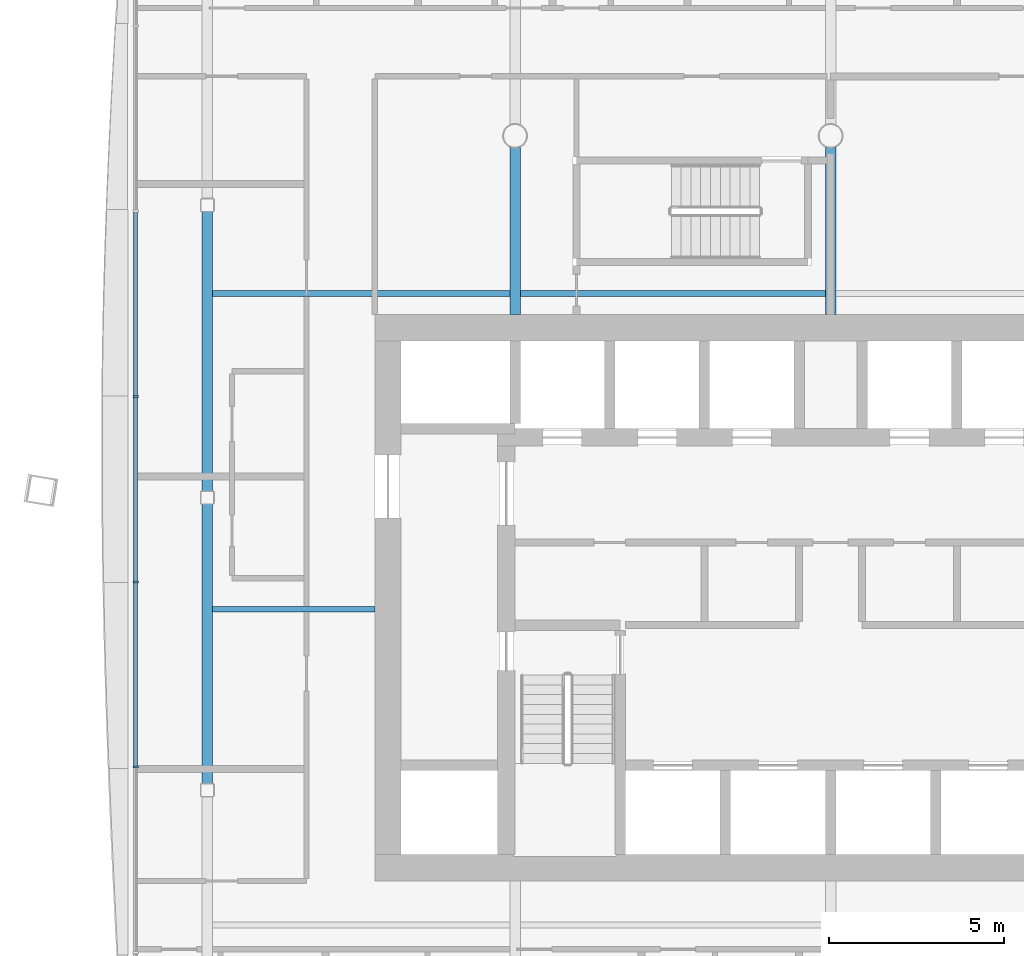
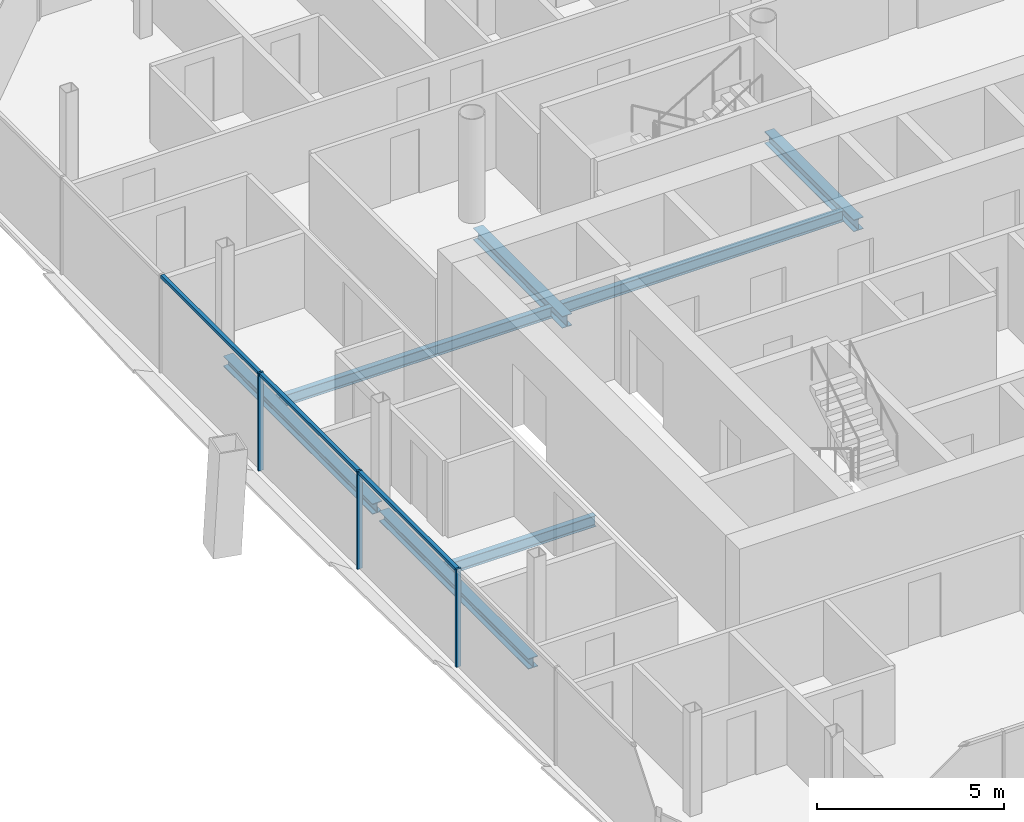
# One storey, part 5 of 21: 7 beams, 6 members, 1 element without a shape of its own.
"""IFC4 building model written with IfcOpenShell, lengths in metres."""

from ifc_helpers import new_model, si_unit, direction, frame, origin, origin_2d, place, context, subcontext, project, spatial, rectangle, i_section, extrude, material, material_profile, profile_set, type_object, element, aggregate, save


model = new_model("IFC4")

# Units and contexts
model_context = context("Model", 3, precision=1e-05, world=origin(), true_north=direction((0.0, 1.0)))
body_context = subcontext(model_context, "Body", "Model", "MODEL_VIEW")
ifc_project = project(units=[si_unit("LENGTHUNIT", "METRE"), si_unit("AREAUNIT", "SQUARE_METRE"), si_unit("VOLUMEUNIT", "CUBIC_METRE"), si_unit("PLANEANGLEUNIT", "RADIAN"), si_unit("MASSUNIT", "GRAM", prefix="KILO")], contexts=[model_context])

# Site, building, storey
site_placement = place(None, origin())
site = spatial("IfcSite", under=ifc_project, at=site_placement, CompositionType="ELEMENT")
building_placement = place(site_placement, origin())
building = spatial("IfcBuilding", under=site, at=building_placement, Name="Tskaro Facet Tower", CompositionType="ELEMENT")
storey_placement = place(building_placement, frame((0.0, 0.0, 138.5)))
storey = spatial("IfcBuildingStorey", under=building, at=storey_placement, Name="L33", CompositionType="ELEMENT", Elevation=138.5)

# Curtain wall, members
ifc_material_1 = material(Name="Bronze anodised aluminium 6063-T6", Category="aluminium")
curtain_wall_type = type_object("IfcCurtainWallType", Name="Bronze hotel curtain wall (FW2)", PredefinedType="NOTDEFINED", material=ifc_material_1)
curtain_wall_placement = place(storey_placement, origin())
curtain_wall = element("IfcCurtainWall", 1, at=curtain_wall_placement, inside=storey, type_object=curtain_wall_type, Name="FW2 west facet L33", PredefinedType="NOTDEFINED")
ifc_material_profile_1 = material_profile(ifc_material_1, rectangle(XDim=0.06005859375, YDim=0.14990234375, at=origin_2d()), Name="Mullion 60x150")
ifc_profile_set_1 = profile_set([ifc_material_profile_1], Name="Bronze anodised aluminium 6063-T6")
member_type_1 = type_object("IfcMemberType", Name="FW2 bronze mullion 60x150", PredefinedType="MULLION", material=ifc_profile_set_1)
member_1_placement = place(storey_placement, frame((-19.820068359375, 1.566650390625, 0.0), z_axis=(0.0, 0.0, 1.0), x_axis=(0.0, -1.0, 0.0)))
member_1 = element("IfcMember", 2, at=member_1_placement, type_object=member_type_1, Name="FW2 west mullion 3", PredefinedType="MULLION", context=body_context, shape_type="SweptSolid", body=[
    extrude(rectangle(XDim=0.06005859375, YDim=0.14990234375, at=origin_2d()), origin(), (0.0, 0.0, 1.0), 3.199951171875),
])
member_2_placement = place(storey_placement, frame((-19.820068359375, -3.718505859375, 0.0), z_axis=(0.0, 0.0, 1.0), x_axis=(0.0, -1.0, 0.0)))
member_2 = element("IfcMember", 3, at=member_2_placement, type_object=member_type_1, Name="FW2 west mullion 4", PredefinedType="MULLION", context=body_context, shape_type="SweptSolid", body=[
    extrude(rectangle(XDim=0.06005859375, YDim=0.14990234375, at=origin_2d()), origin(), (0.0, 0.0, 1.0), 3.199951171875),
])
member_3_placement = place(storey_placement, frame((-19.820068359375, -9.003662109375, 0.0), z_axis=(0.0, 0.0, 1.0), x_axis=(0.0, -1.0, 0.0)))
member_3 = element("IfcMember", 4, at=member_3_placement, type_object=member_type_1, Name="FW2 west mullion 5", PredefinedType="MULLION", context=body_context, shape_type="SweptSolid", body=[
    extrude(rectangle(XDim=0.06005859375, YDim=0.14990234375, at=origin_2d()), origin(), (0.0, 0.0, 1.0), 3.199951171875),
])
ifc_material_profile_2 = material_profile(ifc_material_1, rectangle(XDim=0.110107421875, YDim=0.10009765625, at=origin_2d()), Name="Transom 110x100")
ifc_profile_set_2 = profile_set([ifc_material_profile_2], Name="Bronze anodised aluminium 6063-T6")
member_type_2 = type_object("IfcMemberType", Name="FW2 bronze transom 110x100", PredefinedType="USERDEFINED", material=ifc_profile_set_2)
member_4_placement = place(storey_placement, frame((-19.820068359375, 6.82177734375, 3.14990234375), z_axis=(0.0, -1.0, 0.0), x_axis=(1.0, 0.0, 0.0)))
member_4 = element("IfcMember", 5, at=member_4_placement, type_object=member_type_2, Name="FW2 west transom 3.1", ObjectType="TRANSOM", PredefinedType="USERDEFINED", context=body_context, shape_type="SweptSolid", body=[
    extrude(rectangle(XDim=0.110107421875, YDim=0.10009765625, at=origin_2d()), origin(), (0.0, 0.0, 1.0), 5.22509765625),
])
member_5_placement = place(storey_placement, frame((-19.820068359375, 1.53662109375, 3.14990234375), z_axis=(0.0, -1.0, 0.0), x_axis=(1.0, 0.0, 0.0)))
member_5 = element("IfcMember", 6, at=member_5_placement, type_object=member_type_2, Name="FW2 west transom 4.1", ObjectType="TRANSOM", PredefinedType="USERDEFINED", context=body_context, shape_type="SweptSolid", body=[
    extrude(rectangle(XDim=0.110107421875, YDim=0.10009765625, at=origin_2d()), origin(), (0.0, 0.0, 1.0), 5.22509765625),
])
member_6_placement = place(storey_placement, frame((-19.820068359375, -3.74853515625, 3.14990234375), z_axis=(0.0, -1.0, 0.0), x_axis=(1.0, 0.0, 0.0)))
member_6 = element("IfcMember", 7, at=member_6_placement, type_object=member_type_2, Name="FW2 west transom 5.1", ObjectType="TRANSOM", PredefinedType="USERDEFINED", context=body_context, shape_type="SweptSolid", body=[
    extrude(rectangle(XDim=0.110107421875, YDim=0.10009765625, at=origin_2d()), origin(), (0.0, 0.0, 1.0), 5.22509765625),
])
aggregate(curtain_wall, [member_1, member_2, member_3, member_4, member_5, member_6])

# Beams
ifc_material_2 = material(Name="Steel S355J2", Category="steel")
ifc_material_profile_3 = material_profile(ifc_material_2, i_section(OverallWidth=0.300048828125, OverallDepth=0.340087890625, WebThickness=0.011962890625, FlangeThickness=0.021484375, FilletRadius=0.027099609375, at=origin_2d()), Name="HE 340 B")
ifc_profile_set_3 = profile_set([ifc_material_profile_3], Name="Steel S355J2")
beam_type_1 = type_object("IfcBeamType", Name="HE 340 B ring beam", PredefinedType="BEAM", material=ifc_profile_set_3)
beam_1_placement = place(storey_placement, frame((-17.77392578125, 6.845947265625, -0.31005859375), z_axis=(0.0, -1.0, 0.0), x_axis=(1.0, 0.0, 0.0)))
element("IfcBeam", 8, at=beam_1_placement, inside=storey, type_object=beam_type_1, Name="HE 340 B EB17-3", PredefinedType="BEAM", context=body_context, shape_type="SweptSolid", body=[
    extrude(i_section(OverallWidth=0.300048828125, OverallDepth=0.340087890625, WebThickness=0.011962890625, FlangeThickness=0.021484375, FilletRadius=0.027099609375, at=origin_2d()), origin(), (0.0, 0.0, 1.0), 7.98095703125),
])
beam_2_placement = place(storey_placement, frame((-17.77392578125, -1.4951171875, -0.31005859375), z_axis=(0.0, -1.0, 0.0), x_axis=(1.0, 0.0, 0.0)))
element("IfcBeam", 9, at=beam_2_placement, inside=storey, type_object=beam_type_1, Name="HE 340 B EB18-3", PredefinedType="BEAM", context=body_context, shape_type="SweptSolid", body=[
    extrude(i_section(OverallWidth=0.300048828125, OverallDepth=0.340087890625, WebThickness=0.011962890625, FlangeThickness=0.021484375, FilletRadius=0.027099609375, at=origin_2d()), origin(), (0.0, 0.0, 1.0), 7.98193359375),
])
ifc_material_profile_4 = material_profile(ifc_material_2, i_section(OverallWidth=0.300048828125, OverallDepth=0.389892578125, WebThickness=0.010986328125, FlangeThickness=0.01904296875, FilletRadius=0.027099609375, at=origin_2d()), Name="HE 400 A")
ifc_profile_set_4 = profile_set([ifc_material_profile_4], Name="Steel S355J2")
beam_type_2 = type_object("IfcBeamType", Name="HE 400 A girder", PredefinedType="BEAM", material=ifc_profile_set_4)
for number, where, z_axis, x_axis, name in (
    (10, (-9.0, 3.89990234375, -0.3349609375), (0.0, 1.0, 0.0), (-1.0, 0.0, 0.0), "HE 400 A GB3-2-3"),
    (11, (0.0, 3.89990234375, -0.3349609375), (0.0, 1.0, 0.0), (-1.0, 0.0, 0.0), "HE 400 A GB4-2-3"),
):
    element("IfcBeam", number, at=place(storey_placement, frame(where, z_axis=z_axis, x_axis=x_axis)), inside=storey, type_object=beam_type_2, Name=name, PredefinedType="BEAM", context=body_context, shape_type="SweptSolid", body=[
        extrude(i_section(OverallWidth=0.300048828125, OverallDepth=0.389892578125, WebThickness=0.010986328125, FlangeThickness=0.01904296875, FilletRadius=0.027099609375, at=origin_2d()), origin(), (0.0, 0.0, 1.0), 4.774658203125),
    ])
ifc_material_profile_5 = material_profile(ifc_material_2, i_section(OverallWidth=0.169921875, OverallDepth=0.360107421875, WebThickness=0.008056640625, FlangeThickness=0.0126953125, FilletRadius=0.01806640625, at=origin_2d()), Name="IPE 360")
ifc_profile_set_5 = profile_set([ifc_material_profile_5], Name="Steel S355J2")
beam_type_3 = type_object("IfcBeamType", Name="IPE 360 secondary beam", PredefinedType="BEAM", material=ifc_profile_set_5)
beam_3_placement = place(storey_placement, frame((-17.6240234375, -4.5, -0.320068359375), z_axis=(1.0, 0.0, 0.0), x_axis=(0.0, 1.0, 0.0)))
element("IfcBeam", 12, at=beam_3_placement, inside=storey, type_object=beam_type_3, Name="IPE 360 SB3a-1-3", PredefinedType="BEAM", context=body_context, shape_type="SweptSolid", body=[
    extrude(i_section(OverallWidth=0.169921875, OverallDepth=0.360107421875, WebThickness=0.008056640625, FlangeThickness=0.0126953125, FilletRadius=0.01806640625, at=origin_2d()), origin(), (0.0, 0.0, 1.0), 4.6240234375),
])
beam_4_placement = place(storey_placement, frame((-17.6240234375, 4.5, -0.320068359375), z_axis=(1.0, 0.0, 0.0), x_axis=(0.0, 1.0, 0.0)))
element("IfcBeam", 13, at=beam_4_placement, inside=storey, type_object=beam_type_3, Name="IPE 360 SB4a-1-3", PredefinedType="BEAM", context=body_context, shape_type="SweptSolid", body=[
    extrude(i_section(OverallWidth=0.169921875, OverallDepth=0.360107421875, WebThickness=0.008056640625, FlangeThickness=0.0126953125, FilletRadius=0.01806640625, at=origin_2d()), origin(), (0.0, 0.0, 1.0), 8.47412109375),
])
beam_5_placement = place(storey_placement, frame((-8.85009765625, 4.5, -0.320068359375), z_axis=(1.0, 0.0, 0.0), x_axis=(0.0, 1.0, 0.0)))
element("IfcBeam", 14, at=beam_5_placement, inside=storey, type_object=beam_type_3, Name="IPE 360 SB4a-2-3", PredefinedType="BEAM", context=body_context, shape_type="SweptSolid", body=[
    extrude(i_section(OverallWidth=0.169921875, OverallDepth=0.360107421875, WebThickness=0.008056640625, FlangeThickness=0.0126953125, FilletRadius=0.01806640625, at=origin_2d()), origin(), (0.0, 0.0, 1.0), 8.7001953125),
])

save(model, "model.ifc")
